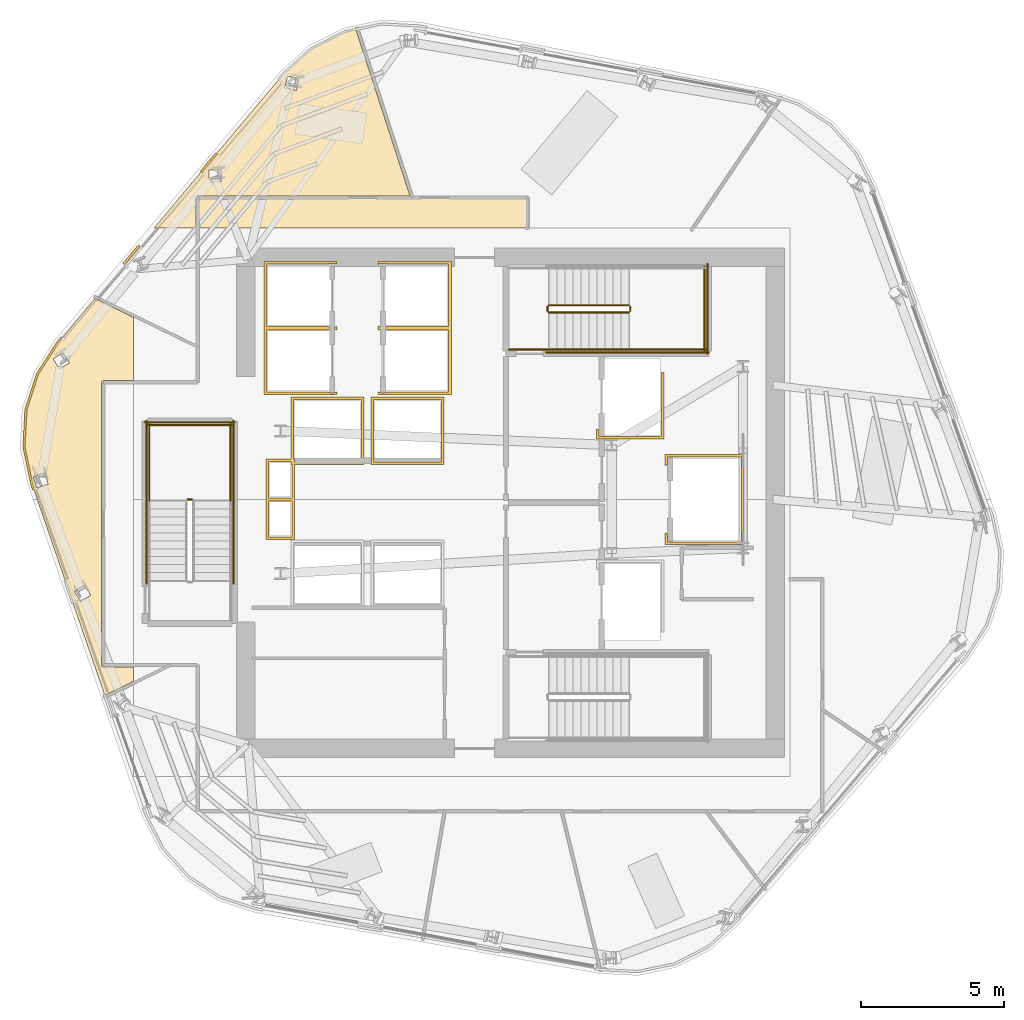
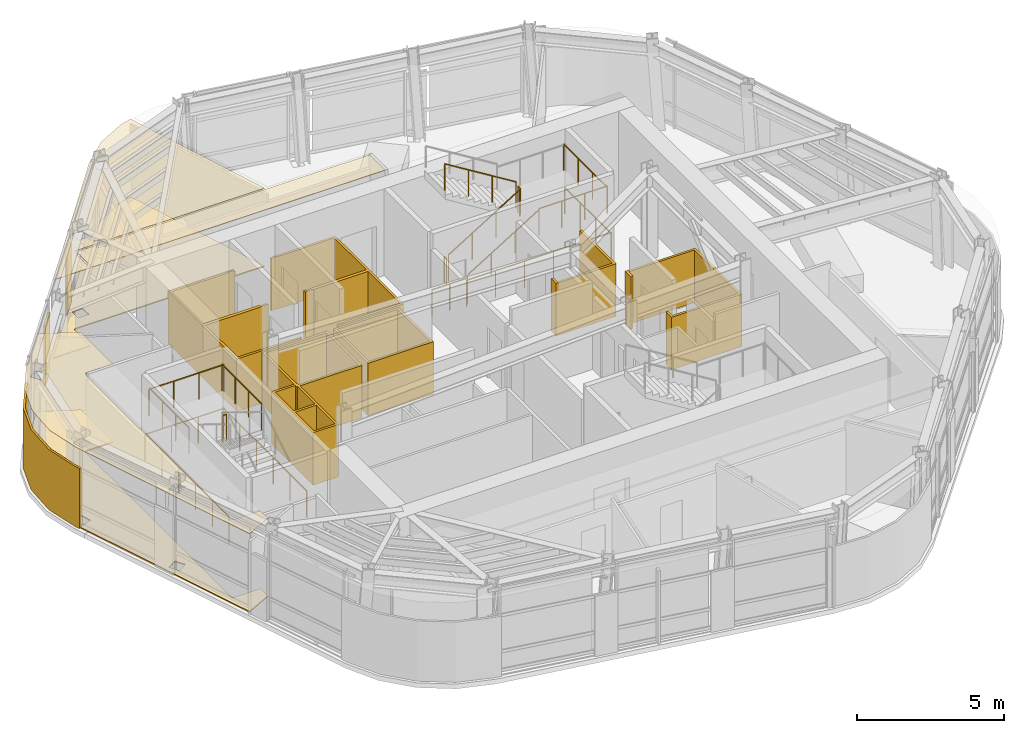
# One storey, part 10 of 12: 17 railings, 14 coverings.
"""IFC4 building model written with IfcOpenShell, lengths in metres."""

import ifcopenshell
import ifcopenshell.guid

model = None  # the IFC model being written
_history = None  # IfcOwnerHistory: only IFC2X3 demands one
_inside = {}  # id of a spatial element -> (the spatial element, [elements in it])
_under = {}  # id of a project, library or spatial element -> (it, [spatial elements below it])
_declared = {}  # id of a project -> (the project, [libraries it declares])
_typed = {}  # id of a type object -> (the type object, [elements of that type])
_made_of = {}  # id of a material, layer set ... -> (it, [elements and type objects made of it])


def new_model(schema):
    """Start an empty IFC model of exactly this schema.

    Asked for "IFC4X3", IfcOpenShell would pick the latest addendum, in which some entities
    have other attributes; the version numbers below select the first issue.
    IFC2X3 requires an IfcOwnerHistory on every rooted entity: one is made here for all.
    """
    global model, _history
    if schema == "IFC4X3":
        model = ifcopenshell.file(schema_version=(4, 3, 0, 0))
    else:
        model = ifcopenshell.file(schema=schema)
    _inside.clear()
    _under.clear()
    _declared.clear()
    _typed.clear()
    _made_of.clear()
    _history = None
    if model.schema == "IFC2X3":
        org = make("IfcOrganization", Name="unknown")
        user = make(
            "IfcPersonAndOrganization",
            ThePerson=make("IfcPerson", FamilyName="unknown"),
            TheOrganization=org,
        )
        app = make(
            "IfcApplication",
            ApplicationDeveloper=org,
            Version="unknown",
            ApplicationFullName="unknown",
            ApplicationIdentifier="unknown",
        )
        _history = make(
            "IfcOwnerHistory",
            OwningUser=user,
            OwningApplication=app,
            ChangeAction="ADDED",
            CreationDate=0,
        )
    return model


def make(cls, **values):
    """One entity of the class cls with the attributes given. An attribute that is None is left unset."""
    return model.create_entity(
        cls, **{name: value for name, value in values.items() if value is not None}
    )


def rooted(cls, **values):
    """An entity with a GlobalId (a new one), such as an element, a storey or a relation."""
    return make(cls, GlobalId=ifcopenshell.guid.new(), OwnerHistory=_history, **values)


def si_unit(unit_type, name, prefix=None):
    """IfcSIUnit, for example si_unit("LENGTHUNIT", "METRE", prefix="MILLI")."""
    return make("IfcSIUnit", UnitType=unit_type, Prefix=prefix, Name=name)


def assignment(units):
    """IfcUnitAssignment: the units of a project."""
    return None if units is None else make("IfcUnitAssignment", Units=units)


def point(xyz):
    """IfcCartesianPoint."""
    return None if xyz is None else make("IfcCartesianPoint", Coordinates=xyz)


def direction(xyz):
    """IfcDirection."""
    return None if xyz is None else make("IfcDirection", DirectionRatios=xyz)


def frame(location, z_axis=None, x_axis=None):
    """IfcAxis2Placement3D, a coordinate frame: its origin and axes. An axis left out is left unset."""
    return make(
        "IfcAxis2Placement3D",
        Location=point(location),
        Axis=direction(z_axis),
        RefDirection=direction(x_axis),
    )


def frame_2d(location, x_axis=None):
    """IfcAxis2Placement2D, a coordinate frame in the plane: its origin and x axis."""
    return make(
        "IfcAxis2Placement2D", Location=point(location), RefDirection=direction(x_axis)
    )


def origin():
    """The frame at (0, 0, 0) with its axes left unset."""
    return frame((0.0, 0.0, 0.0))


def origin_2d():
    """The frame at (0, 0) in the plane with its x axis left unset."""
    return frame_2d((0.0, 0.0))


def place(relative_to, where):
    """IfcLocalPlacement: puts the frame where relative to a parent placement (None: the world)."""
    return make(
        "IfcLocalPlacement", PlacementRelTo=relative_to, RelativePlacement=where
    )


def context(
    kind, dimensions, precision=None, world=None, true_north=None, identifier=None
):
    """IfcGeometricRepresentationContext, for example the 3D "Model" context."""
    return make(
        "IfcGeometricRepresentationContext",
        ContextIdentifier=identifier,
        ContextType=kind,
        CoordinateSpaceDimension=dimensions,
        Precision=precision,
        WorldCoordinateSystem=world,
        TrueNorth=true_north,
    )


def subcontext(parent, identifier, kind, view, scale=None):
    """IfcGeometricRepresentationSubContext, for example "Body" below "Model"."""
    return make(
        "IfcGeometricRepresentationSubContext",
        ContextIdentifier=identifier,
        ContextType=kind,
        ParentContext=parent,
        TargetScale=scale,
        TargetView=view,
    )


def project(units=None, contexts=None):
    """IfcProject with its units and contexts."""
    return rooted(
        "IfcProject",
        Name="project",
        RepresentationContexts=contexts,
        UnitsInContext=assignment(units),
    )


def spatial(cls, under=None, at=None, **own):
    """A site, building, storey or space (cls), placed at a placement, below another one or the project."""
    s = rooted(cls, ObjectPlacement=at, **own)
    if under is not None:
        _under.setdefault(under.id(), (under, []))[1].append(s)
    return s


def polyline(points):
    """IfcPolyline through the points."""
    return make("IfcPolyline", Points=[point(p) for p in points])


def profile(cls, at=None, kind="AREA", **sizes):
    """A parametric profile (cls). Its sizes go by their IFC names, for example OverallWidth=200.0."""
    return make(cls, ProfileType=kind, Position=at, **sizes)


def circle(**sizes):
    """IfcCircleProfileDef."""
    return profile("IfcCircleProfileDef", **sizes)


def outline(outer, holes=None, kind="AREA"):
    """IfcArbitraryClosedProfileDef: a profile drawn as a closed curve; with holes, ...WithVoids."""
    if holes is None:
        return make("IfcArbitraryClosedProfileDef", ProfileType=kind, OuterCurve=outer)
    return make(
        "IfcArbitraryProfileDefWithVoids",
        ProfileType=kind,
        OuterCurve=outer,
        InnerCurves=holes,
    )


def extrude(swept, where, along, depth):
    """IfcExtrudedAreaSolid: the profile swept, set in the frame where, extruded along a direction by depth."""
    return make(
        "IfcExtrudedAreaSolid",
        SweptArea=swept,
        Position=where,
        ExtrudedDirection=direction(along),
        Depth=depth,
    )


def shape(context_of_items, identifier, shape_type, items):
    """IfcShapeRepresentation: the items that make up one representation, for example the "Body"."""
    return make(
        "IfcShapeRepresentation",
        ContextOfItems=context_of_items,
        RepresentationIdentifier=identifier,
        RepresentationType=shape_type,
        Items=items,
    )


def material(Name=None, Category=None):
    """IfcMaterial."""
    return make("IfcMaterial", Name=Name, Category=Category)


def layer(
    of_material, thickness, ventilated=None, Name=None, Category=None, Priority=None
):
    """IfcMaterialLayer: one layer of a wall or slab, of a material (None: an air gap)."""
    return make(
        "IfcMaterialLayer",
        Material=of_material,
        LayerThickness=thickness,
        IsVentilated=ventilated,
        Name=Name,
        Category=Category,
        Priority=Priority,
    )


def layer_set(layers, Name=None):
    """IfcMaterialLayerSet."""
    return make("IfcMaterialLayerSet", MaterialLayers=layers, LayerSetName=Name)


def made_of(thing, what):
    """Note that an element or type object is made of a material, layer set ...; save() writes the relation."""
    if what is not None:
        _made_of.setdefault(what.id(), (what, []))[1].append(thing)
    return thing


def type_object(cls, material=None, **own):
    """A type object (cls), such as IfcWallType, which elements share."""
    return made_of(rooted(cls, **own), material)


def element(
    cls,
    number,
    at=None,
    inside=None,
    cuts=None,
    type_object=None,
    material=None,
    context=None,
    identifier="Body",
    shape_type=None,
    held_by="IfcProductDefinitionShape",
    body=None,
    shapes=None,
    **own,
):
    """One element of the class cls, such as IfcWall. Its Tag is "e" and its number.

    at: its placement. inside: the storey or other place that contains it. cuts: it is an
    opening in that element (IfcRelVoidsElement). A single representation is given by context,
    identifier, shape_type and body (its items); several are given by shapes. held_by: the class
    of the entity that holds the representations. save() writes the other relations.
    """
    e = rooted(cls, Tag="e%d" % number, ObjectPlacement=at, **own)
    if body is not None:
        shapes = [shape(context, identifier, shape_type, body)]
    if shapes is not None:
        e.Representation = make(held_by, Representations=shapes)
    if inside is not None:
        _inside.setdefault(inside.id(), (inside, []))[1].append(e)
    if cuts is not None:
        rooted(
            "IfcRelVoidsElement", RelatingBuildingElement=cuts, RelatedOpeningElement=e
        )
    if type_object is not None:
        _typed.setdefault(type_object.id(), (type_object, []))[1].append(e)
    return made_of(e, material)


def aggregate(whole, parts):
    """IfcRelAggregates: a whole, such as a stair, and the parts it consists of."""
    return rooted("IfcRelAggregates", RelatingObject=whole, RelatedObjects=parts)


def save(model, path):
    """Write the relations noted so far, then the file.

    IfcRelAggregates (storeys below a building ...), IfcRelContainedInSpatialStructure (elements
    in a storey), IfcRelDefinesByType, IfcRelAssociatesMaterial and IfcRelDeclares: one each for
    every whole, place, type object, material and project.
    """
    for whole, parts in _under.values():
        aggregate(whole, parts)
    for where, things in _inside.values():
        rooted(
            "IfcRelContainedInSpatialStructure",
            RelatedElements=things,
            RelatingStructure=where,
        )
    for kind, things in _typed.values():
        rooted("IfcRelDefinesByType", RelatedObjects=things, RelatingType=kind)
    for what, things in _made_of.values():
        rooted("IfcRelAssociatesMaterial", RelatedObjects=things, RelatingMaterial=what)
    for by, libraries in _declared.values():
        rooted("IfcRelDeclares", RelatingContext=by, RelatedDefinitions=libraries)
    model.write(path)


model = new_model("IFC4")

# Units and contexts
model_context = context("Model", 3, precision=1e-05, world=origin(), true_north=direction((0.0, 1.0)))
body_context = subcontext(model_context, "Body", "Model", "MODEL_VIEW")
ifc_project = project(units=[si_unit("LENGTHUNIT", "METRE"), si_unit("AREAUNIT", "SQUARE_METRE"), si_unit("VOLUMEUNIT", "CUBIC_METRE"), si_unit("PLANEANGLEUNIT", "RADIAN"), si_unit("MASSUNIT", "GRAM", prefix="KILO")], contexts=[model_context])

# Site, building, storey
site_placement = place(None, origin())
site = spatial("IfcSite", under=ifc_project, at=site_placement, CompositionType="ELEMENT")
building_placement = place(site_placement, origin())
building = spatial("IfcBuilding", under=site, at=building_placement, Name="Valkerne Bourse Tower", CompositionType="ELEMENT")
storey_placement = place(building_placement, frame((0.0, 0.0, 236.0)))
storey = spatial("IfcBuildingStorey", under=building, at=storey_placement, Name="L60", CompositionType="ELEMENT", Elevation=236.0)

# Coverings
ifc_material_1 = material(Name="Mineral Fiber Acoustic Ceiling Tile", Category="acoustic")
ifc_layer_1 = layer(ifc_material_1, 0.02490234375)
ifc_layer_set_1 = layer_set([ifc_layer_1], Name="Mineral Fiber Acoustic Ceiling Tile")
covering_type_1 = type_object("IfcCoveringType", Name="COV-CEIL-ACT", PredefinedType="CEILING", material=ifc_layer_set_1)
covering_1_placement = place(storey_placement, frame((0.0, 0.0, 3.25)))
element("IfcCovering", 1, at=covering_1_placement, inside=storey, type_object=covering_type_1, Name="L60 Suspended Ceiling 07", PredefinedType="CEILING", context=body_context, shape_type="SweptSolid", body=[
    extrude(outline(polyline([(29.83837890625, 30.1435546875), (30.246337890625, 31.398681640625), (30.970458984375, 32.513916015625), (32.24609375, 34.03271484375), (33.60009765625, 33.372314453125), (33.60009765625, 31.1689453125), (32.54931640625, 31.1689453125), (32.50830078125, 31.1552734375), (32.483154296875, 31.117431640625), (32.48291015625, 21.18359375), (32.50830078125, 21.144775390625), (32.54931640625, 21.131103515625), (33.60009765625, 21.131103515625), (33.60009765625, 20.627685546875), (32.593994140625, 20.136962890625), (30.0458984375, 27.525390625), (29.76953125, 28.825927734375), (29.83837890625, 30.1435546875)]), holes=[polyline([(32.097412109375, 23.643310546875), (31.8818359375, 23.99365234375), (31.52880859375, 23.77685546875), (31.529296875, 23.774658203125), (31.744873046875, 23.424560546875), (32.097900390625, 23.64111328125), (32.097412109375, 23.643310546875)]), polyline([(30.612060546875, 27.524658203125), (30.4921875, 27.917724609375), (30.095703125, 27.7978515625), (30.095703125, 27.79541015625), (30.21533203125, 27.402099609375), (30.61181640625, 27.522216796875), (30.612060546875, 27.524658203125)]), polyline([(31.357666015625, 31.7890625), (31.1376953125, 32.139892578125), (30.788818359375, 31.922119140625), (30.787841796875, 31.919921875), (31.0078125, 31.569091796875), (31.35693359375, 31.78662109375), (31.357666015625, 31.7890625)])]), origin(), (0.0, 0.0, 1.0), 0.02490234375),
])
covering_2_placement = place(storey_placement, frame((0.0, 0.0, 3.25)))
element("IfcCovering", 2, at=covering_2_placement, inside=storey, type_object=covering_type_1, Name="L60 Suspended Ceiling 08", PredefinedType="CEILING", context=body_context, shape_type="SweptSolid", body=[
    extrude(outline(polyline([(41.002685546875, 43.370849609375), (41.391845703125, 43.45361328125), (43.284423828125, 37.62890625), (35.849365234375, 37.62890625), (35.809326171875, 37.615966796875), (35.787841796875, 37.590087890625), (35.781005859375, 37.560546875), (35.781005859375, 36.5), (34.318603515625, 36.5), (38.83984375, 41.8828125), (39.8271484375, 42.771728515625), (41.002685546875, 43.370849609375)]), holes=[polyline([(36.667236328125, 38.131103515625), (36.6689453125, 38.132568359375), (36.6572265625, 38.54638671875), (36.245849609375, 38.535400390625), (36.244140625, 38.533935546875), (36.256103515625, 38.1201171875), (36.667236328125, 38.131103515625)]), polyline([(39.302978515625, 41.32470703125), (39.396484375, 41.72802734375), (38.99609375, 41.82177734375), (38.993896484375, 41.82080078125), (38.900390625, 41.41748046875), (39.30078125, 41.323486328125), (39.302978515625, 41.32470703125)])]), origin(), (0.0, 0.0, 1.0), 0.02490234375),
])
ifc_material_2 = material(Name="Bronze Anodised Aluminium AA 6063-T6", Category="aluminium")
ifc_layer_2 = layer(ifc_material_2, 0.030029296875)
ifc_layer_set_2 = layer_set([ifc_layer_2], Name="Bronze Anodised Aluminium AA 6063-T6")
covering_type_2 = type_object("IfcCoveringType", Name="COV-CEIL-METAL", PredefinedType="CEILING", material=ifc_layer_set_2)
covering_3_placement = place(storey_placement, frame((0.0, 0.0, 3.25)))
element("IfcCovering", 3, at=covering_3_placement, inside=storey, type_object=covering_type_2, Name="L60 Suspended Ceiling 03", PredefinedType="CEILING", context=body_context, shape_type="SweptSolid", body=[
    extrude(outline(polyline([(35.85400390625, 37.555908203125), (47.39599609375, 37.555908203125), (47.39599609375, 36.5), (35.85400390625, 36.5), (35.85400390625, 37.555908203125)])), origin(), (0.0, 0.0, 1.0), 0.02490234375),
])
ifc_layer_3 = layer(ifc_material_2, 0.06005859375)
ifc_layer_set_3 = layer_set([ifc_layer_3], Name="Bronze Anodised Aluminium AA 6063-T6")
covering_type_3 = type_object("IfcCoveringType", Name="COV-CRN-ALUM", PredefinedType="CLADDING", material=ifc_layer_set_3)
covering_4_placement = place(storey_placement, origin())
element("IfcCovering", 4, at=covering_4_placement, inside=storey, type_object=covering_type_3, Name="L60 Wind-Shaped Corner Aluminium Cladding 10", PredefinedType="CLADDING", context=body_context, shape_type="SweptSolid", body=[
    extrude(outline(polyline([(30.00341796875, 27.513427734375), (29.725341796875, 28.822509765625), (29.794921875, 30.151611328125), (30.206298828125, 31.417724609375), (30.93505859375, 32.5400390625), (31.05908203125, 32.687744140625), (31.119873046875, 32.6357421875), (30.99951171875, 32.4921875), (30.279052734375, 31.3828125), (29.874267578125, 30.136962890625), (29.8056640625, 28.82861328125), (30.080810546875, 27.534912109375), (30.1416015625, 27.35791015625), (30.06640625, 27.331298828125), (30.00341796875, 27.513427734375)])), origin(), (0.0, 0.0, 1.0), 2.5),
])
covering_5_placement = place(storey_placement, origin())
element("IfcCovering", 5, at=covering_5_placement, inside=storey, type_object=covering_type_3, Name="L60 Wind-Shaped Corner Aluminium Cladding 11", PredefinedType="CLADDING", context=body_context, shape_type="SweptSolid", body=[
    extrude(outline(polyline([(33.76806640625, 35.9130859375), (33.828857421875, 35.861083984375), (33.288818359375, 35.2177734375), (33.227783203125, 35.269775390625), (33.76806640625, 35.9130859375)])), origin(), (0.0, 0.0, 1.0), 2.5),
])
covering_6_placement = place(storey_placement, origin())
element("IfcCovering", 6, at=covering_6_placement, inside=storey, type_object=covering_type_3, Name="L60 Wind-Shaped Corner Aluminium Cladding 12", PredefinedType="CLADDING", context=body_context, shape_type="SweptSolid", body=[
    extrude(outline(polyline([(36.477294921875, 39.138427734375), (36.5380859375, 39.08642578125), (35.997802734375, 38.443115234375), (35.93701171875, 38.4951171875), (36.477294921875, 39.138427734375)])), origin(), (0.0, 0.0, 1.0), 2.5),
])
ifc_material_3 = material(Name="Galvanised Painted Steel", Category="steel")
ifc_layer_4 = layer(ifc_material_3, 0.044921875)
ifc_layer_set_4 = layer_set([ifc_layer_4], Name="Galvanised Painted Steel")
covering_type_4 = type_object("IfcCoveringType", Name="COV-FLR-RAF", PredefinedType="FLOORING", material=ifc_layer_set_4)
covering_7_placement = place(storey_placement, origin())
element("IfcCovering", 7, at=covering_7_placement, inside=storey, type_object=covering_type_4, Name="L60 Floor Finish 07", PredefinedType="FLOORING", context=body_context, shape_type="SweptSolid", body=[
    extrude(outline(polyline([(29.83837890625, 30.1435546875), (30.246337890625, 31.398681640625), (30.970458984375, 32.513916015625), (32.24609375, 34.03271484375), (33.60009765625, 33.372314453125), (33.60009765625, 31.1689453125), (32.54931640625, 31.1689453125), (32.50830078125, 31.1552734375), (32.483154296875, 31.117431640625), (32.48291015625, 21.18359375), (32.50830078125, 21.144775390625), (32.54931640625, 21.131103515625), (33.60009765625, 21.131103515625), (33.60009765625, 20.627685546875), (32.593994140625, 20.136962890625), (30.0458984375, 27.525390625), (29.76953125, 28.825927734375), (29.83837890625, 30.1435546875)]), holes=[polyline([(32.097412109375, 23.643310546875), (31.8818359375, 23.99365234375), (31.52880859375, 23.77685546875), (31.529296875, 23.774658203125), (31.744873046875, 23.424560546875), (32.097900390625, 23.64111328125), (32.097412109375, 23.643310546875)]), polyline([(30.612060546875, 27.524658203125), (30.4921875, 27.917724609375), (30.095703125, 27.7978515625), (30.095703125, 27.79541015625), (30.21533203125, 27.402099609375), (30.61181640625, 27.522216796875), (30.612060546875, 27.524658203125)]), polyline([(31.357666015625, 31.7890625), (31.1376953125, 32.139892578125), (30.788818359375, 31.922119140625), (30.787841796875, 31.919921875), (31.0078125, 31.569091796875), (31.35693359375, 31.78662109375), (31.357666015625, 31.7890625)])]), origin(), (0.0, 0.0, 1.0), 0.044921875),
])
covering_8_placement = place(storey_placement, origin())
element("IfcCovering", 8, at=covering_8_placement, inside=storey, type_object=covering_type_4, Name="L60 Floor Finish 08", PredefinedType="FLOORING", context=body_context, shape_type="SweptSolid", body=[
    extrude(outline(polyline([(41.002685546875, 43.370849609375), (41.391845703125, 43.45361328125), (43.284423828125, 37.62890625), (35.849365234375, 37.62890625), (35.809326171875, 37.615966796875), (35.787841796875, 37.590087890625), (35.781005859375, 37.560546875), (35.781005859375, 36.5), (34.318603515625, 36.5), (38.83984375, 41.8828125), (39.8271484375, 42.771728515625), (41.002685546875, 43.370849609375)]), holes=[polyline([(36.667236328125, 38.131103515625), (36.6689453125, 38.132568359375), (36.6572265625, 38.54638671875), (36.245849609375, 38.535400390625), (36.244140625, 38.533935546875), (36.256103515625, 38.1201171875), (36.667236328125, 38.131103515625)]), polyline([(39.302978515625, 41.32470703125), (39.396484375, 41.72802734375), (38.99609375, 41.82177734375), (38.993896484375, 41.82080078125), (38.900390625, 41.41748046875), (39.30078125, 41.323486328125), (39.302978515625, 41.32470703125)])]), origin(), (0.0, 0.0, 1.0), 0.044921875),
])
ifc_material_4 = material(Name="Gypsum Shaftwall Liner Board", Category="gypsum")
ifc_layer_5 = layer(ifc_material_4, 0.080078125)
ifc_layer_set_5 = layer_set([ifc_layer_5], Name="Gypsum Shaftwall Liner Board")
covering_type_5 = type_object("IfcCoveringType", Name="COV-SHF-CLAD", PredefinedType="CLADDING", material=ifc_layer_set_5)
covering_9_placement = place(storey_placement, origin())
element("IfcCovering", 9, at=covering_9_placement, inside=storey, type_object=covering_type_5, Name="L60 Hoistway & Riser Shaftwall Liner 03", PredefinedType="CLADDING", context=body_context, shape_type="SweptSolid", body=[
    extrude(outline(polyline([(38.239990234375, 28.409912109375), (39.1201171875, 28.409912109375), (39.1201171875, 30.580078125), (41.679931640625, 30.580078125), (41.679931640625, 28.219970703125), (39.239990234375, 28.219970703125), (39.239990234375, 27.0400390625), (39.239990234375, 26.9599609375), (39.239990234375, 25.590087890625), (38.239990234375, 25.590087890625), (38.239990234375, 26.9599609375), (38.239990234375, 27.0400390625), (38.239990234375, 28.409912109375)]), holes=[polyline([(38.330078125, 26.949951171875), (38.330078125, 25.679931640625), (39.14990234375, 25.679931640625), (39.14990234375, 26.949951171875), (38.330078125, 26.949951171875)]), polyline([(39.2099609375, 30.489990234375), (39.2099609375, 28.409912109375), (39.239990234375, 28.409912109375), (39.239990234375, 28.31005859375), (41.590087890625, 28.31005859375), (41.590087890625, 30.489990234375), (39.2099609375, 30.489990234375)]), polyline([(38.330078125, 27.050048828125), (39.14990234375, 27.050048828125), (39.14990234375, 28.219970703125), (39.1201171875, 28.219970703125), (39.1201171875, 28.320068359375), (38.330078125, 28.320068359375), (38.330078125, 27.050048828125)])]), origin(), (0.0, 0.0, 1.0), 2.179931640625),
])
covering_10_placement = place(storey_placement, origin())
element("IfcCovering", 10, at=covering_10_placement, inside=storey, type_object=covering_type_5, Name="L60 Hoistway & Riser Shaftwall Liner 04", PredefinedType="CLADDING", context=body_context, shape_type="SweptSolid", body=[
    extrude(outline(polyline([(38.169921875, 35.330078125), (40.72998046875, 35.330078125), (40.72998046875, 35.232177734375), (40.72216796875, 35.235595703125), (40.6806640625, 35.25048828125), (40.6376953125, 35.261474609375), (40.593994140625, 35.267822265625), (40.550048828125, 35.27001953125), (40.505859375, 35.267822265625), (40.462158203125, 35.261474609375), (40.41943359375, 35.25048828125), (40.3896484375, 35.239990234375), (38.260009765625, 35.239990234375), (38.260009765625, 33.06005859375), (40.3896484375, 33.06005859375), (40.41943359375, 33.04931640625), (40.462158203125, 33.03857421875), (40.505859375, 33.0322265625), (40.550048828125, 33.030029296875), (40.593994140625, 33.0322265625), (40.6376953125, 33.03857421875), (40.6806640625, 33.04931640625), (40.72216796875, 33.064208984375), (40.72998046875, 33.06787109375), (40.72998046875, 33.030029296875), (40.72998046875, 32.969970703125), (40.72998046875, 32.93212890625), (40.72216796875, 32.935791015625), (40.6806640625, 32.95068359375), (40.6376953125, 32.96142578125), (40.593994140625, 32.9677734375), (40.550048828125, 32.969970703125), (40.505859375, 32.9677734375), (40.462158203125, 32.96142578125), (40.41943359375, 32.95068359375), (40.3896484375, 32.93994140625), (38.260009765625, 32.93994140625), (38.260009765625, 30.760009765625), (40.3896484375, 30.760009765625), (40.41943359375, 30.74951171875), (40.462158203125, 30.738525390625), (40.505859375, 30.732177734375), (40.550048828125, 30.72998046875), (40.593994140625, 30.732177734375), (40.6376953125, 30.738525390625), (40.6806640625, 30.74951171875), (40.72216796875, 30.764404296875), (40.72998046875, 30.767822265625), (40.72998046875, 30.669921875), (38.169921875, 30.669921875), (38.169921875, 32.969970703125), (38.169921875, 33.030029296875), (38.169921875, 35.330078125)])), origin(), (0.0, 0.0, 1.0), 2.179931640625),
])
covering_11_placement = place(storey_placement, origin())
element("IfcCovering", 11, at=covering_11_placement, inside=storey, type_object=covering_type_5, Name="L60 Hoistway & Riser Shaftwall Liner 06", PredefinedType="CLADDING", context=body_context, shape_type="SweptSolid", body=[
    extrude(outline(polyline([(54.97998046875, 25.419921875), (52.219970703125, 25.419921875), (52.219970703125, 25.81787109375), (52.227783203125, 25.814208984375), (52.269287109375, 25.79931640625), (52.31005859375, 25.789306640625), (52.31005859375, 25.510009765625), (54.889892578125, 25.510009765625), (54.889892578125, 28.489990234375), (52.31005859375, 28.489990234375), (52.31005859375, 28.210693359375), (52.269287109375, 28.20068359375), (52.227783203125, 28.185791015625), (52.219970703125, 28.18212890625), (52.219970703125, 28.580078125), (54.97998046875, 28.580078125), (54.97998046875, 25.419921875)])), origin(), (0.0, 0.0, 1.0), 2.179931640625),
])
covering_12_placement = place(storey_placement, origin())
element("IfcCovering", 12, at=covering_12_placement, inside=storey, type_object=covering_type_5, Name="L60 Hoistway & Riser Shaftwall Liner 07", PredefinedType="CLADDING", context=body_context, shape_type="SweptSolid", body=[
    extrude(outline(polyline([(44.47998046875, 28.219970703125), (41.919921875, 28.219970703125), (41.919921875, 30.580078125), (44.47998046875, 30.580078125), (44.47998046875, 28.219970703125)]), holes=[polyline([(42.010009765625, 30.489990234375), (42.010009765625, 28.31005859375), (44.389892578125, 28.31005859375), (44.389892578125, 30.489990234375), (42.010009765625, 30.489990234375)])]), origin(), (0.0, 0.0, 1.0), 2.179931640625),
])
covering_13_placement = place(storey_placement, origin())
element("IfcCovering", 13, at=covering_13_placement, inside=storey, type_object=covering_type_5, Name="L60 Hoistway & Riser Shaftwall Liner 08", PredefinedType="CLADDING", context=body_context, shape_type="SweptSolid", body=[
    extrude(outline(polyline([(49.820068359375, 29.1201171875), (49.820068359375, 29.468017578125), (49.827880859375, 29.46435546875), (49.869384765625, 29.449462890625), (49.909912109375, 29.439208984375), (49.909912109375, 29.2099609375), (52.090087890625, 29.2099609375), (52.090087890625, 31.449951171875), (52.179931640625, 31.449951171875), (52.179931640625, 29.1201171875), (49.820068359375, 29.1201171875)])), origin(), (0.0, 0.0, 1.0), 2.179931640625),
])
covering_14_placement = place(storey_placement, origin())
element("IfcCovering", 14, at=covering_14_placement, inside=storey, type_object=covering_type_5, Name="L60 Hoistway & Riser Shaftwall Liner 09", PredefinedType="CLADDING", context=body_context, shape_type="SweptSolid", body=[
    extrude(outline(polyline([(42.169921875, 33.06787109375), (42.177734375, 33.064208984375), (42.219482421875, 33.04931640625), (42.26220703125, 33.03857421875), (42.305908203125, 33.0322265625), (42.35009765625, 33.030029296875), (42.39404296875, 33.0322265625), (42.437744140625, 33.03857421875), (42.480712890625, 33.04931640625), (42.51025390625, 33.06005859375), (44.639892578125, 33.06005859375), (44.639892578125, 35.239990234375), (42.51025390625, 35.239990234375), (42.480712890625, 35.25048828125), (42.437744140625, 35.261474609375), (42.39404296875, 35.267822265625), (42.35009765625, 35.27001953125), (42.305908203125, 35.267822265625), (42.26220703125, 35.261474609375), (42.219482421875, 35.25048828125), (42.177734375, 35.235595703125), (42.169921875, 35.232177734375), (42.169921875, 35.330078125), (44.72998046875, 35.330078125), (44.72998046875, 33.030029296875), (44.72998046875, 32.969970703125), (44.72998046875, 30.669921875), (42.169921875, 30.669921875), (42.169921875, 30.767822265625), (42.177734375, 30.764404296875), (42.219482421875, 30.74951171875), (42.26220703125, 30.738525390625), (42.305908203125, 30.732177734375), (42.35009765625, 30.72998046875), (42.39404296875, 30.732177734375), (42.437744140625, 30.738525390625), (42.480712890625, 30.74951171875), (42.51025390625, 30.760009765625), (44.639892578125, 30.760009765625), (44.639892578125, 32.93994140625), (42.51025390625, 32.93994140625), (42.480712890625, 32.95068359375), (42.437744140625, 32.96142578125), (42.39404296875, 32.9677734375), (42.35009765625, 32.969970703125), (42.305908203125, 32.9677734375), (42.26220703125, 32.96142578125), (42.219482421875, 32.95068359375), (42.177734375, 32.935791015625), (42.169921875, 32.93212890625), (42.169921875, 32.969970703125), (42.169921875, 33.030029296875), (42.169921875, 33.06787109375)])), origin(), (0.0, 0.0, 1.0), 2.179931640625),
])

# Railings
railing_type_1 = type_object("IfcRailingType", Name="RLG-ST-GUARD-1120", PredefinedType="GUARDRAIL", material=ifc_material_3)
railing_1_placement = place(storey_placement, frame((48.14990234375, 33.550048828125, 0.172607421875)))
element("IfcRailing", 15, at=railing_1_placement, inside=storey, type_object=railing_type_1, Name="L60 ST-2 stair guard 1", PredefinedType="GUARDRAIL", context=body_context, shape_type="SweptSolid", body=[
    extrude(circle(Radius=0.02392578125, at=origin_2d()), frame((0.0, 0.0, 1.09619140625), z_axis=(0.851089632645, 0.0, 0.525020415988), x_axis=(0.0, 1.0, 0.0)), (0.0, 0.0, 1.0), 3.2900390625),
    extrude(circle(Radius=0.02099609375, at=origin_2d()), origin(), (0.0, 0.0, 1.0), 1.072021484375),
    extrude(circle(Radius=0.02099609375, at=origin_2d()), frame((0.933349609375, 0.0, 0.57568359375)), (0.0, 0.0, 1.0), 1.072021484375),
    extrude(circle(Radius=0.02099609375, at=origin_2d()), frame((1.86669921875, 0.0, 1.151611328125)), (0.0, 0.0, 1.0), 1.072021484375),
    extrude(circle(Radius=0.02099609375, at=origin_2d()), frame((2.800048828125, 0.0, 1.727294921875)), (0.0, 0.0, 1.0), 1.072021484375),
])
railing_2_placement = place(storey_placement, frame((51.0, 33.60009765625, 1.89990234375)))
element("IfcRailing", 16, at=railing_2_placement, inside=storey, type_object=railing_type_1, Name="L60 ST-2 stair guard 2", PredefinedType="GUARDRAIL", context=body_context, shape_type="SweptSolid", body=[
    extrude(circle(Radius=0.02392578125, at=origin_2d()), frame((0.0, 0.0, 1.09619140625), z_axis=(0.0, 1.0, 0.0), x_axis=(-1.0, 0.0, 0.0)), (0.0, 0.0, 1.0), 0.14990234375),
    extrude(circle(Radius=0.02099609375, at=origin_2d()), origin(), (0.0, 0.0, 1.0), 1.072021484375),
    extrude(circle(Radius=0.02099609375, at=origin_2d()), frame((0.0, 0.14990234375, 0.0)), (0.0, 0.0, 1.0), 1.072021484375),
])
railing_3_placement = place(storey_placement, frame((50.949951171875, 32.25, 1.89990234375)))
element("IfcRailing", 17, at=railing_3_placement, inside=storey, type_object=railing_type_1, Name="L60 ST-2 stair guard 3", PredefinedType="GUARDRAIL", context=body_context, shape_type="SweptSolid", body=[
    extrude(circle(Radius=0.02392578125, at=origin_2d()), frame((0.0, 0.0, 1.09619140625), z_axis=(1.0, 0.0, 0.0), x_axis=(0.0, 1.0, 0.0)), (0.0, 0.0, 1.0), 2.699951171875),
    extrude(circle(Radius=0.02099609375, at=origin_2d()), origin(), (0.0, 0.0, 1.0), 1.072021484375),
    extrude(circle(Radius=0.02099609375, at=origin_2d()), frame((0.89990234375, 0.0, 0.0)), (0.0, 0.0, 1.0), 1.072021484375),
    extrude(circle(Radius=0.02099609375, at=origin_2d()), frame((1.800048828125, 0.0, 0.0)), (0.0, 0.0, 1.0), 1.072021484375),
    extrude(circle(Radius=0.02099609375, at=origin_2d()), frame((2.699951171875, 0.0, 0.0)), (0.0, 0.0, 1.0), 1.072021484375),
])
railing_4_placement = place(storey_placement, frame((53.60009765625, 32.199951171875, 1.89990234375)))
element("IfcRailing", 18, at=railing_4_placement, inside=storey, type_object=railing_type_1, Name="L60 ST-2 stair guard 5", PredefinedType="GUARDRAIL", context=body_context, shape_type="SweptSolid", body=[
    extrude(circle(Radius=0.02392578125, at=origin_2d()), frame((0.0, 0.0, 1.09619140625), z_axis=(0.0, 1.0, 0.0), x_axis=(-1.0, 0.0, 0.0)), (0.0, 0.0, 1.0), 2.949951171875),
    extrude(circle(Radius=0.02099609375, at=origin_2d()), origin(), (0.0, 0.0, 1.0), 1.072021484375),
    extrude(circle(Radius=0.02099609375, at=origin_2d()), frame((0.0, 0.9833984375, 0.0)), (0.0, 0.0, 1.0), 1.072021484375),
    extrude(circle(Radius=0.02099609375, at=origin_2d()), frame((0.0, 1.966552734375, 0.0)), (0.0, 0.0, 1.0), 1.072021484375),
    extrude(circle(Radius=0.02099609375, at=origin_2d()), frame((0.0, 2.949951171875, 0.0)), (0.0, 0.0, 1.0), 1.072021484375),
])
railing_5_placement = place(storey_placement, frame((50.949951171875, 33.800048828125, 2.07275390625)))
element("IfcRailing", 19, at=railing_5_placement, inside=storey, type_object=railing_type_1, Name="L60 ST-2 stair guard 6", PredefinedType="GUARDRAIL", context=body_context, shape_type="SweptSolid", body=[
    extrude(circle(Radius=0.02392578125, at=origin_2d()), frame((0.0, 0.0, 1.09619140625), z_axis=(-0.851089632645, 0.0, 0.525020415988), x_axis=(0.0, -1.0, 0.0)), (0.0, 0.0, 1.0), 3.2900390625),
    extrude(circle(Radius=0.02099609375, at=origin_2d()), origin(), (0.0, 0.0, 1.0), 1.072021484375),
    extrude(circle(Radius=0.02099609375, at=origin_2d()), frame((-0.933349609375, 0.0, 0.57568359375)), (0.0, 0.0, 1.0), 1.072021484375),
    extrude(circle(Radius=0.02099609375, at=origin_2d()), frame((-1.86669921875, 0.0, 1.151611328125)), (0.0, 0.0, 1.0), 1.072021484375),
    extrude(circle(Radius=0.02099609375, at=origin_2d()), frame((-2.800048828125, 0.0, 1.727294921875)), (0.0, 0.0, 1.0), 1.072021484375),
])
railing_6_placement = place(storey_placement, frame((48.10009765625, 33.60009765625, 0.0)))
element("IfcRailing", 20, at=railing_6_placement, inside=storey, type_object=railing_type_1, Name="L60 ST-2 stair guard 7", PredefinedType="GUARDRAIL", context=body_context, shape_type="SweptSolid", body=[
    extrude(circle(Radius=0.02392578125, at=origin_2d()), frame((0.0, 0.0, 1.09619140625), z_axis=(0.0, 1.0, 0.0), x_axis=(-1.0, 0.0, 0.0)), (0.0, 0.0, 1.0), 0.14990234375),
    extrude(circle(Radius=0.02099609375, at=origin_2d()), origin(), (0.0, 0.0, 1.0), 1.072021484375),
    extrude(circle(Radius=0.02099609375, at=origin_2d()), frame((0.0, 0.14990234375, 0.0)), (0.0, 0.0, 1.0), 1.072021484375),
])
railing_7_placement = place(storey_placement, frame((46.75, 32.25, 0.0)))
element("IfcRailing", 21, at=railing_7_placement, inside=storey, type_object=railing_type_1, Name="L60 ST-2 stair guard 8", PredefinedType="GUARDRAIL", context=body_context, shape_type="SweptSolid", body=[
    extrude(circle(Radius=0.02392578125, at=origin_2d()), frame((0.0, 0.0, 1.09619140625), z_axis=(1.0, 0.0, 0.0), x_axis=(0.0, 1.0, 0.0)), (0.0, 0.0, 1.0), 1.39990234375),
    extrude(circle(Radius=0.02099609375, at=origin_2d()), origin(), (0.0, 0.0, 1.0), 1.072021484375),
    extrude(circle(Radius=0.02099609375, at=origin_2d()), frame((0.699951171875, 0.0, 0.0)), (0.0, 0.0, 1.0), 1.072021484375),
    extrude(circle(Radius=0.02099609375, at=origin_2d()), frame((1.39990234375, 0.0, 0.0)), (0.0, 0.0, 1.0), 1.072021484375),
])
railing_8_placement = place(storey_placement, frame((48.050048828125, 32.14990234375, 0.0)))
element("IfcRailing", 22, at=railing_8_placement, inside=storey, type_object=railing_type_1, Name="L60 ST-2 stair guard 10", PredefinedType="GUARDRAIL", context=body_context, shape_type="SweptSolid", body=[
    extrude(circle(Radius=0.02392578125, at=origin_2d()), frame((0.0, 0.0, 1.09619140625), z_axis=(1.0, 0.0, 0.0), x_axis=(0.0, 1.0, 0.0)), (0.0, 0.0, 1.0), 5.699951171875),
    extrude(circle(Radius=0.02099609375, at=origin_2d()), origin(), (0.0, 0.0, 1.0), 1.072021484375),
    extrude(circle(Radius=0.02099609375, at=origin_2d()), frame((1.139892578125, 0.0, 0.0)), (0.0, 0.0, 1.0), 1.072021484375),
    extrude(circle(Radius=0.02099609375, at=origin_2d()), frame((2.280029296875, 0.0, 0.0)), (0.0, 0.0, 1.0), 1.072021484375),
    extrude(circle(Radius=0.02099609375, at=origin_2d()), frame((3.419921875, 0.0, 0.0)), (0.0, 0.0, 1.0), 1.072021484375),
    extrude(circle(Radius=0.02099609375, at=origin_2d()), frame((4.56005859375, 0.0, 0.0)), (0.0, 0.0, 1.0), 1.072021484375),
    extrude(circle(Radius=0.02099609375, at=origin_2d()), frame((5.699951171875, 0.0, 0.0)), (0.0, 0.0, 1.0), 1.072021484375),
])
railing_9_placement = place(storey_placement, frame((53.699951171875, 32.10009765625, 0.0)))
element("IfcRailing", 23, at=railing_9_placement, inside=storey, type_object=railing_type_1, Name="L60 ST-2 stair guard 12", PredefinedType="GUARDRAIL", context=body_context, shape_type="SweptSolid", body=[
    extrude(circle(Radius=0.02392578125, at=origin_2d()), frame((0.0, 0.0, 1.09619140625), z_axis=(0.0, 1.0, 0.0), x_axis=(-1.0, 0.0, 0.0)), (0.0, 0.0, 1.0), 3.14990234375),
    extrude(circle(Radius=0.02099609375, at=origin_2d()), origin(), (0.0, 0.0, 1.0), 1.072021484375),
    extrude(circle(Radius=0.02099609375, at=origin_2d()), frame((0.0, 1.050048828125, 0.0)), (0.0, 0.0, 1.0), 1.072021484375),
    extrude(circle(Radius=0.02099609375, at=origin_2d()), frame((0.0, 2.099853515625, 0.0)), (0.0, 0.0, 1.0), 1.072021484375),
    extrude(circle(Radius=0.02099609375, at=origin_2d()), frame((0.0, 3.14990234375, 0.0)), (0.0, 0.0, 1.0), 1.072021484375),
])
railing_10_placement = place(storey_placement, frame((35.64990234375, 27.0, 1.89990234375)))
element("IfcRailing", 24, at=railing_10_placement, inside=storey, type_object=railing_type_1, Name="L60 ST-3 stair guard 2", PredefinedType="GUARDRAIL", context=body_context, shape_type="SweptSolid", body=[
    extrude(circle(Radius=0.02392578125, at=origin_2d()), frame((0.0, 0.0, 1.09619140625), z_axis=(-1.0, 0.0, 0.0), x_axis=(0.0, -1.0, 0.0)), (0.0, 0.0, 1.0), 0.14990234375),
    extrude(circle(Radius=0.02099609375, at=origin_2d()), origin(), (0.0, 0.0, 1.0), 1.072021484375),
    extrude(circle(Radius=0.02099609375, at=origin_2d()), frame((-0.14990234375, 0.0, 0.0)), (0.0, 0.0, 1.0), 1.072021484375),
])
for number, where, name in (
    (25, (37.0, 26.949951171875, 1.89990234375), "L60 ST-3 stair guard 3"),
    (26, (34.14990234375, 26.949951171875, 1.89990234375), "L60 ST-3 stair guard 4"),
):
    element("IfcRailing", number, at=place(storey_placement, frame(where)), inside=storey, type_object=railing_type_1, Name=name, PredefinedType="GUARDRAIL", context=body_context, shape_type="SweptSolid", body=[
        extrude(circle(Radius=0.02392578125, at=origin_2d()), frame((0.0, 0.0, 1.09619140625), z_axis=(0.0, 1.0, 0.0), x_axis=(-1.0, 0.0, 0.0)), (0.0, 0.0, 1.0), 2.699951171875),
        extrude(circle(Radius=0.02099609375, at=origin_2d()), origin(), (0.0, 0.0, 1.0), 1.072021484375),
        extrude(circle(Radius=0.02099609375, at=origin_2d()), frame((0.0, 0.89990234375, 0.0)), (0.0, 0.0, 1.0), 1.072021484375),
        extrude(circle(Radius=0.02099609375, at=origin_2d()), frame((0.0, 1.800048828125, 0.0)), (0.0, 0.0, 1.0), 1.072021484375),
        extrude(circle(Radius=0.02099609375, at=origin_2d()), frame((0.0, 2.699951171875, 0.0)), (0.0, 0.0, 1.0), 1.072021484375),
    ])
railing_11_placement = place(storey_placement, frame((37.050048828125, 29.60009765625, 1.89990234375)))
element("IfcRailing", 27, at=railing_11_placement, inside=storey, type_object=railing_type_1, Name="L60 ST-3 stair guard 5", PredefinedType="GUARDRAIL", context=body_context, shape_type="SweptSolid", body=[
    extrude(circle(Radius=0.02392578125, at=origin_2d()), frame((0.0, 0.0, 1.09619140625), z_axis=(-1.0, 0.0, 0.0), x_axis=(0.0, -1.0, 0.0)), (0.0, 0.0, 1.0), 2.949951171875),
    extrude(circle(Radius=0.02099609375, at=origin_2d()), origin(), (0.0, 0.0, 1.0), 1.072021484375),
    extrude(circle(Radius=0.02099609375, at=origin_2d()), frame((-0.9833984375, 0.0, 0.0)), (0.0, 0.0, 1.0), 1.072021484375),
    extrude(circle(Radius=0.02099609375, at=origin_2d()), frame((-1.966552734375, 0.0, 0.0)), (0.0, 0.0, 1.0), 1.072021484375),
    extrude(circle(Radius=0.02099609375, at=origin_2d()), frame((-2.949951171875, 0.0, 0.0)), (0.0, 0.0, 1.0), 1.072021484375),
])
for number, where, name in (
    (28, (37.10009765625, 24.050048828125, 0.0), "L60 ST-3 stair guard 10"),
    (29, (34.050048828125, 24.050048828125, 0.0), "L60 ST-3 stair guard 11"),
):
    element("IfcRailing", number, at=place(storey_placement, frame(where)), inside=storey, type_object=railing_type_1, Name=name, PredefinedType="GUARDRAIL", context=body_context, shape_type="SweptSolid", body=[
        extrude(circle(Radius=0.02392578125, at=origin_2d()), frame((0.0, 0.0, 1.09619140625), z_axis=(0.0, 1.0, 0.0), x_axis=(-1.0, 0.0, 0.0)), (0.0, 0.0, 1.0), 5.699951171875),
        extrude(circle(Radius=0.02099609375, at=origin_2d()), origin(), (0.0, 0.0, 1.0), 1.072021484375),
        extrude(circle(Radius=0.02099609375, at=origin_2d()), frame((0.0, 1.139892578125, 0.0)), (0.0, 0.0, 1.0), 1.072021484375),
        extrude(circle(Radius=0.02099609375, at=origin_2d()), frame((0.0, 2.280029296875, 0.0)), (0.0, 0.0, 1.0), 1.072021484375),
        extrude(circle(Radius=0.02099609375, at=origin_2d()), frame((0.0, 3.419921875, 0.0)), (0.0, 0.0, 1.0), 1.072021484375),
        extrude(circle(Radius=0.02099609375, at=origin_2d()), frame((0.0, 4.56005859375, 0.0)), (0.0, 0.0, 1.0), 1.072021484375),
        extrude(circle(Radius=0.02099609375, at=origin_2d()), frame((0.0, 5.699951171875, 0.0)), (0.0, 0.0, 1.0), 1.072021484375),
    ])
railing_12_placement = place(storey_placement, frame((37.14990234375, 29.699951171875, 0.0)))
element("IfcRailing", 30, at=railing_12_placement, inside=storey, type_object=railing_type_1, Name="L60 ST-3 stair guard 12", PredefinedType="GUARDRAIL", context=body_context, shape_type="SweptSolid", body=[
    extrude(circle(Radius=0.02392578125, at=origin_2d()), frame((0.0, 0.0, 1.09619140625), z_axis=(-1.0, 0.0, 0.0), x_axis=(0.0, -1.0, 0.0)), (0.0, 0.0, 1.0), 3.14990234375),
    extrude(circle(Radius=0.02099609375, at=origin_2d()), origin(), (0.0, 0.0, 1.0), 1.072021484375),
    extrude(circle(Radius=0.02099609375, at=origin_2d()), frame((-1.050048828125, 0.0, 0.0)), (0.0, 0.0, 1.0), 1.072021484375),
    extrude(circle(Radius=0.02099609375, at=origin_2d()), frame((-2.099853515625, 0.0, 0.0)), (0.0, 0.0, 1.0), 1.072021484375),
    extrude(circle(Radius=0.02099609375, at=origin_2d()), frame((-3.14990234375, 0.0, 0.0)), (0.0, 0.0, 1.0), 1.072021484375),
])
ifc_material_5 = material(Name="Stainless Steel AISI 316", Category="steel")
railing_type_2 = type_object("IfcRailingType", Name="RLG-ST-HANDRAIL-900", PredefinedType="HANDRAIL", material=ifc_material_5)
railing_13_placement = place(storey_placement, frame((48.14990234375, 32.25, 0.345458984375)))
element("IfcRailing", 31, at=railing_13_placement, inside=storey, type_object=railing_type_2, Name="L60 ST-2 stair handrail 1", PredefinedType="HANDRAIL", context=body_context, shape_type="SweptSolid", body=[
    extrude(circle(Radius=0.02392578125, at=origin_2d()), frame((0.0, 0.0, 0.8759765625), z_axis=(0.851089632645, 0.0, 0.525020415988), x_axis=(0.0, 1.0, 0.0)), (0.0, 0.0, 1.0), 3.2900390625),
    extrude(circle(Radius=0.02099609375, at=origin_2d()), origin(), (0.0, 0.0, 1.0), 0.851806640625),
    extrude(circle(Radius=0.02099609375, at=origin_2d()), frame((0.933349609375, 0.0, 0.57568359375)), (0.0, 0.0, 1.0), 0.851806640625),
    extrude(circle(Radius=0.02099609375, at=origin_2d()), frame((1.86669921875, 0.0, 1.151611328125)), (0.0, 0.0, 1.0), 0.851806640625),
    extrude(circle(Radius=0.02099609375, at=origin_2d()), frame((2.800048828125, 0.0, 1.727294921875)), (0.0, 0.0, 1.0), 0.851806640625),
])

save(model, "model.ifc")
